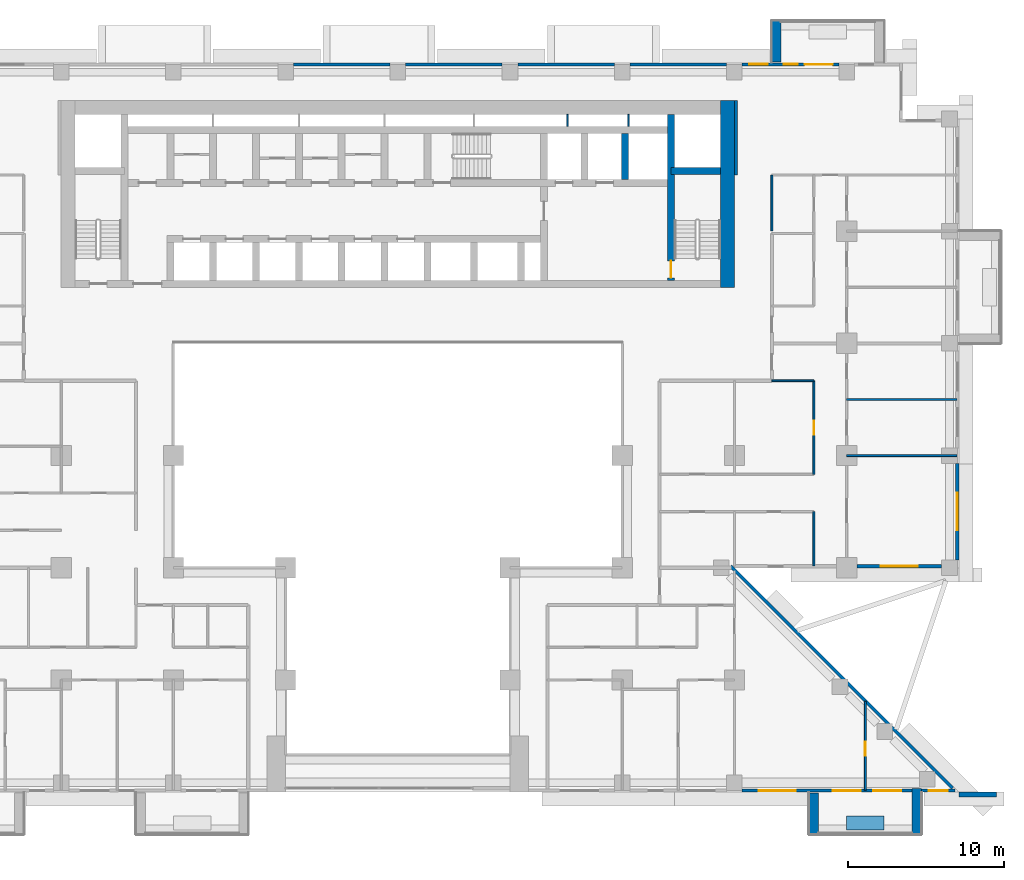
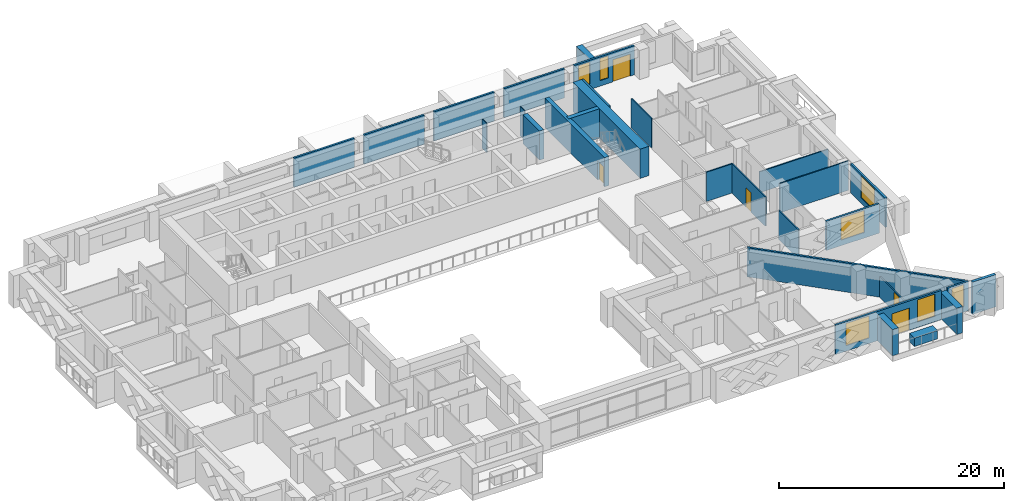
# One storey, part 11 of 17: 29 walls, 7 windows, 5 doors, 12 openings.
"""IFC4 building model written with IfcOpenShell, lengths in metres."""

from ifc_helpers import new_model, si_unit, direction, frame, frame_2d, origin, place, context, subcontext, project, spatial, rectangle, extrude, material, layer, layer_set, type_object, element, fill, save


model = new_model("IFC4")

# Units and contexts
model_context = context("Model", 3, precision=1e-05, world=origin(), true_north=direction((0.0, 1.0)))
body_context = subcontext(model_context, "Body", "Model", "MODEL_VIEW")
ifc_project = project(units=[si_unit("LENGTHUNIT", "METRE"), si_unit("AREAUNIT", "SQUARE_METRE"), si_unit("VOLUMEUNIT", "CUBIC_METRE"), si_unit("PLANEANGLEUNIT", "RADIAN"), si_unit("MASSUNIT", "GRAM", prefix="KILO")], contexts=[model_context])

# Site, building, storey
site_placement = place(None, origin())
site = spatial("IfcSite", under=ifc_project, at=site_placement, CompositionType="ELEMENT")
building_placement = place(site_placement, origin())
building = spatial("IfcBuilding", under=site, at=building_placement, Name="Saffron Iwan Residences", CompositionType="ELEMENT")
storey_placement = place(building_placement, frame((0.0, 0.0, 76.0)))
storey = spatial("IfcBuildingStorey", under=building, at=storey_placement, Name="L19", CompositionType="ELEMENT", Elevation=76.0)

# Walls
ifc_material_1 = material(Name="Concrete C50/60 white painted", Category="concrete")
ifc_layer_1 = layer(ifc_material_1, 0.60009765625)
ifc_layer_set_1 = layer_set([ifc_layer_1], Name="Concrete C50/60 white painted")
wall_type_1 = type_object("IfcWallType", Name="BALCONY FIN 600", PredefinedType="SOLIDWALL", material=ifc_layer_set_1)
for number, where, z_axis, x_axis, name in (
    (1, (74.699951171875, 80.449951171875, 0.0), (0.0, 0.0, 1.0), (0.0, 1.0, 0.0), "Balcony fin L19 F5-0b"),
    (2, (77.10009765625, 33.550048828125, 0.0), (0.0, 0.0, 1.0), (0.0, -1.0, 0.0), "Balcony fin L19 11-3a"),
):
    element("IfcWall", number, at=place(storey_placement, frame(where, z_axis=z_axis, x_axis=x_axis)), inside=storey, type_object=wall_type_1, Name=name, PredefinedType="SOLIDWALL", context=body_context, shape_type="SweptSolid", body=[
        extrude(rectangle(XDim=2.650146484375, YDim=0.60009765625, at=frame_2d((1.3251953125, 0.0))), origin(), (0.0, 0.0, 1.0), 2.85009765625),
    ])
wall_1_placement = place(storey_placement, frame((83.699951171875, 33.841796875, 0.0), z_axis=(0.0, 0.0, 1.0), x_axis=(0.0, -1.0, 0.0)))
element("IfcWall", 3, at=wall_1_placement, inside=storey, type_object=wall_type_1, Name="Balcony fin L19 11-3b", PredefinedType="SOLIDWALL", context=body_context, shape_type="SweptSolid", body=[
    extrude(rectangle(XDim=2.94189453125, YDim=0.60009765625, at=frame_2d((1.470947265625, 0.0))), origin(), (0.0, 0.0, 1.0), 2.85009765625),
])
ifc_material_2 = material(Name="Concrete C35/45 white painted", Category="concrete")
ifc_layer_2 = layer(ifc_material_2, 0.14990234375)
ifc_layer_set_2 = layer_set([ifc_layer_2], Name="Concrete C35/45 white painted")
wall_type_2 = type_object("IfcWallType", Name="BALCONY PLANTER", PredefinedType="SOLIDWALL", material=ifc_layer_set_2)
wall_2_placement = place(storey_placement, frame((79.199951171875, 31.625, 0.0), z_axis=(0.0, 0.0, 1.0), x_axis=(1.0, 0.0, 0.0)))
element("IfcWall", 4, at=wall_2_placement, inside=storey, type_object=wall_type_2, Name="PLANTER L19 11-3", PredefinedType="SOLIDWALL", context=body_context, shape_type="SweptSolid", body=[
    extrude(rectangle(XDim=2.400146484375, YDim=0.89990234375, at=frame_2d((1.2001953125, 0.0))), origin(), (0.0, 0.0, 1.0), 0.89990234375),
])
ifc_material_3 = material(Name="Concrete C40/50", Category="concrete")
ifc_layer_3 = layer(ifc_material_3, 0.199951171875)
ifc_layer_set_3 = layer_set([ifc_layer_3], Name="Concrete C40/50")
wall_type_3 = type_object("IfcWallType", Name="EXTERNAL WALL 200", PredefinedType="SOLIDWALL", material=ifc_layer_set_3)
wall_3_placement = place(storey_placement, frame((85.995849609375, 33.862548828125, 0.0), z_axis=(0.0, 0.0, 1.0), x_axis=(-0.707100718496, 0.707112843825, 0.0)))
element("IfcWall", 5, at=wall_3_placement, inside=storey, type_object=wall_type_3, Name="External wall L19 F0.0", PredefinedType="SOLIDWALL", context=body_context, shape_type="SweptSolid", body=[
    extrude(rectangle(XDim=20.134765625, YDim=0.199951171875, at=frame_2d((10.0673828125, 0.0))), origin(), (0.0, 0.0, 1.0), 3.179931640625),
])

# Wall, opening, window
wall_4_placement = place(storey_placement, frame((79.85009765625, 48.10009765625, 0.0), z_axis=(0.0, 0.0, 1.0), x_axis=(1.0, 0.0, 0.0)))
wall_4 = element("IfcWall", 6, at=wall_4_placement, inside=storey, type_object=wall_type_3, Name="External wall L19 F1.1", PredefinedType="SOLIDWALL", context=body_context, shape_type="SweptSolid", body=[
    extrude(rectangle(XDim=5.449951171875, YDim=0.199951171875, at=frame_2d((2.72509765625, 0.0))), origin(), (0.0, 0.0, 1.0), 3.179931640625),
])
opening_1_placement = place(wall_4_placement, frame((1.52490234375, 0.0, 0.60009765625)))
opening_1 = element("IfcOpeningElement", 7, at=opening_1_placement, cuts=wall_4, Name="Opening W1", PredefinedType="OPENING", context=body_context, shape_type="SweptSolid", body=[
    extrude(rectangle(XDim=2.39990234375, YDim=2.39990234375, at=frame_2d((1.199951171875, 1.199951171875))), frame((0.0, 0.10986328125, 0.0), z_axis=(0.0, -1.0, 0.0), x_axis=(1.0, 0.0, 0.0)), (0.0, 0.0, 1.0), 0.219970703125),
])
ifc_material_4 = material(Name="Clear glass, laminated double glazed", Category="glass")
window_type_1 = type_object("IfcWindowType", Name="WINDOW 2400 x 2400", PartitioningType="DOUBLE_PANEL_VERTICAL", PredefinedType="WINDOW", material=ifc_material_4)
window_1_placement = place(opening_1_placement, origin())
window_1 = element("IfcWindow", 8, at=window_1_placement, inside=storey, type_object=window_type_1, Name="Window L19 F1.0", OverallHeight=2.39990234375, OverallWidth=2.39990234375, PartitioningType="DOUBLE_PANEL_VERTICAL", PredefinedType="WINDOW", context=body_context, shape_type="SweptSolid", body=[
    extrude(rectangle(XDim=2.39990234375, YDim=2.39990234375, at=frame_2d((1.199951171875, 1.199951171875))), frame((0.0, 0.030029296875, 0.0), z_axis=(0.0, -1.0, 0.0), x_axis=(1.0, 0.0, 0.0)), (0.0, 0.0, 1.0), 0.06005859375),
])
fill(opening_1, window_1)

wall_5_placement = place(storey_placement, frame((86.300048828125, 48.5, 0.0), z_axis=(0.0, 0.0, 1.0), x_axis=(0.0, 1.0, 0.0)))
wall_5 = element("IfcWall", 9, at=wall_5_placement, inside=storey, type_object=wall_type_3, Name="External wall L19 F2.0", PredefinedType="SOLIDWALL", context=body_context, shape_type="SweptSolid", body=[
    extrude(rectangle(XDim=6.199951171875, YDim=0.199951171875, at=frame_2d((3.10009765625, 0.0))), origin(), (0.0, 0.0, 1.0), 3.179931640625),
])
opening_2_placement = place(wall_5_placement, frame((1.89990234375, 0.0, 0.60009765625)))
opening_2 = element("IfcOpeningElement", 10, at=opening_2_placement, cuts=wall_5, Name="Opening W1", PredefinedType="OPENING", context=body_context, shape_type="SweptSolid", body=[
    extrude(rectangle(XDim=2.39990234375, YDim=2.39990234375, at=frame_2d((1.199951171875, 1.199951171875))), frame((0.0, 0.10986328125, 0.0), z_axis=(0.0, -1.0, 0.0), x_axis=(1.0, 0.0, 0.0)), (0.0, 0.0, 1.0), 0.219970703125),
])
window_2_placement = place(opening_2_placement, origin())
window_2 = element("IfcWindow", 11, at=window_2_placement, inside=storey, type_object=window_type_1, Name="Window L19 F2.0", OverallHeight=2.39990234375, OverallWidth=2.39990234375, PartitioningType="DOUBLE_PANEL_VERTICAL", PredefinedType="WINDOW", context=body_context, shape_type="SweptSolid", body=[
    extrude(rectangle(XDim=2.39990234375, YDim=2.39990234375, at=frame_2d((1.199951171875, 1.199951171875))), frame((0.0, 0.030029296875, 0.0), z_axis=(0.0, -1.0, 0.0), x_axis=(1.0, 0.0, 0.0)), (0.0, 0.0, 1.0), 0.06005859375),
])
fill(opening_2, window_2)

# Wall, openings, door, windows
wall_6_placement = place(storey_placement, frame((78.699951171875, 80.300048828125, 0.0), z_axis=(0.0, 0.0, 1.0), x_axis=(-1.0, 0.0, 0.0)))
wall_6 = element("IfcWall", 12, at=wall_6_placement, inside=storey, type_object=wall_type_3, Name="External wall L19 F5.1", PredefinedType="SOLIDWALL", context=body_context, shape_type="SweptSolid", body=[
    extrude(rectangle(XDim=6.199951171875, YDim=0.199951171875, at=frame_2d((3.10009765625, 0.0))), origin(), (0.0, 0.0, 1.0), 3.179931640625),
])
opening_3_placement = place(wall_6_placement, frame((0.39990234375, 0.0, 0.0)))
opening_3 = element("IfcOpeningElement", 13, at=opening_3_placement, cuts=wall_6, Name="Opening BD1", PredefinedType="OPENING", context=body_context, shape_type="SweptSolid", body=[
    extrude(rectangle(XDim=1.800048828125, YDim=2.39990234375, at=frame_2d((0.89990234375, 1.199951171875))), frame((0.0, 0.10986328125, 0.0), z_axis=(0.0, -1.0, 0.0), x_axis=(1.0, 0.0, 0.0)), (0.0, 0.0, 1.0), 0.219970703125),
])
opening_4_placement = place(wall_6_placement, frame((2.64990234375, 0.0, 0.60009765625)))
opening_4 = element("IfcOpeningElement", 14, at=opening_4_placement, cuts=wall_6, Name="Opening W10", PredefinedType="OPENING", context=body_context, shape_type="SweptSolid", body=[
    extrude(rectangle(XDim=0.89990234375, YDim=2.39990234375, at=frame_2d((0.449951171875, 1.199951171875))), frame((0.0, 0.10986328125, 0.0), z_axis=(0.0, -1.0, 0.0), x_axis=(1.0, 0.0, 0.0)), (0.0, 0.0, 1.0), 0.219970703125),
])
opening_5_placement = place(wall_6_placement, frame((4.550048828125, 0.0, 0.60009765625)))
opening_5 = element("IfcOpeningElement", 15, at=opening_5_placement, cuts=wall_6, Name="Opening W3", PredefinedType="OPENING", context=body_context, shape_type="SweptSolid", body=[
    extrude(rectangle(XDim=1.199951171875, YDim=2.39990234375, at=frame_2d((0.60009765625, 1.199951171875))), frame((0.0, 0.10986328125, 0.0), z_axis=(0.0, -1.0, 0.0), x_axis=(1.0, 0.0, 0.0)), (0.0, 0.0, 1.0), 0.219970703125),
])
door_type_1 = type_object("IfcDoorType", Name="BALCONY DOOR 1800 x 2400", OperationType="DOUBLE_DOOR_SLIDING", PredefinedType="DOOR", material=ifc_material_4)
door_1_placement = place(opening_3_placement, origin())
door_1 = element("IfcDoor", 16, at=door_1_placement, inside=storey, type_object=door_type_1, Name="Balcony door L19 F5.0", OperationType="DOUBLE_DOOR_SLIDING", OverallHeight=2.39990234375, OverallWidth=1.800048828125, PredefinedType="DOOR", context=body_context, shape_type="SweptSolid", body=[
    extrude(rectangle(XDim=1.800048828125, YDim=2.39990234375, at=frame_2d((0.89990234375, 1.199951171875))), frame((0.0, 0.02490234375, 0.0), z_axis=(0.0, -1.0, 0.0), x_axis=(1.0, 0.0, 0.0)), (0.0, 0.0, 1.0), 0.050048828125),
])
fill(opening_3, door_1)
window_type_2 = type_object("IfcWindowType", Name="WINDOW 1200 x 2400", PartitioningType="SINGLE_PANEL", PredefinedType="WINDOW", material=ifc_material_4)
window_3_placement = place(opening_5_placement, origin())
window_3 = element("IfcWindow", 17, at=window_3_placement, inside=storey, type_object=window_type_2, Name="Window L19 F5.2", OverallHeight=2.39990234375, OverallWidth=1.199951171875, PartitioningType="SINGLE_PANEL", PredefinedType="WINDOW", context=body_context, shape_type="SweptSolid", body=[
    extrude(rectangle(XDim=1.199951171875, YDim=2.39990234375, at=frame_2d((0.60009765625, 1.199951171875))), frame((0.0, 0.030029296875, 0.0), z_axis=(0.0, -1.0, 0.0), x_axis=(1.0, 0.0, 0.0)), (0.0, 0.0, 1.0), 0.06005859375),
])
fill(opening_5, window_3)
window_type_3 = type_object("IfcWindowType", Name="WINDOW 900 x 2400", PartitioningType="SINGLE_PANEL", PredefinedType="WINDOW", material=ifc_material_4)
window_4_placement = place(opening_4_placement, origin())
window_4 = element("IfcWindow", 18, at=window_4_placement, inside=storey, type_object=window_type_3, Name="Window L19 F5.1", OverallHeight=2.39990234375, OverallWidth=0.89990234375, PartitioningType="SINGLE_PANEL", PredefinedType="WINDOW", context=body_context, shape_type="SweptSolid", body=[
    extrude(rectangle(XDim=0.89990234375, YDim=2.39990234375, at=frame_2d((0.449951171875, 1.199951171875))), frame((0.0, 0.030029296875, 0.0), z_axis=(0.0, -1.0, 0.0), x_axis=(1.0, 0.0, 0.0)), (0.0, 0.0, 1.0), 0.06005859375),
])
fill(opening_4, window_4)

# Walls
for number, where, z_axis, x_axis, name in (
    (19, (71.5, 80.300048828125, 0.0), (0.0, 0.0, 1.0), (-1.0, 0.0, 0.0), "External wall L19 F5.2"),
    (20, (64.300048828125, 80.300048828125, 0.0), (0.0, 0.0, 1.0), (-1.0, 0.0, 0.0), "External wall L19 F5.3"),
):
    element("IfcWall", number, at=place(storey_placement, frame(where, z_axis=z_axis, x_axis=x_axis)), inside=storey, type_object=wall_type_3, Name=name, PredefinedType="SOLIDWALL", context=body_context, shape_type="SweptSolid", body=[
        extrude(rectangle(XDim=6.199951171875, YDim=0.199951171875, at=frame_2d((3.10009765625, 0.0))), origin(), (0.0, 0.0, 1.0), 3.179931640625),
    ])
wall_7_placement = place(storey_placement, frame((57.10009765625, 80.300048828125, 0.0), z_axis=(0.0, 0.0, 1.0), x_axis=(-1.0, 0.0, 0.0)))
element("IfcWall", 21, at=wall_7_placement, inside=storey, type_object=wall_type_3, Name="External wall L19 F5.4", PredefinedType="SOLIDWALL", context=body_context, shape_type="SweptSolid", body=[
    extrude(rectangle(XDim=6.2001953125, YDim=0.199951171875, at=frame_2d((3.10009765625, 0.0))), origin(), (0.0, 0.0, 1.0), 3.179931640625),
])
wall_8_placement = place(storey_placement, frame((49.89990234375, 80.300048828125, 0.0), z_axis=(0.0, 0.0, 1.0), x_axis=(-1.0, 0.0, 0.0)))
element("IfcWall", 22, at=wall_8_placement, inside=storey, type_object=wall_type_3, Name="External wall L19 F5.5", PredefinedType="SOLIDWALL", context=body_context, shape_type="SweptSolid", body=[
    extrude(rectangle(XDim=6.199951171875, YDim=0.199951171875, at=frame_2d((3.10009765625, 0.0))), origin(), (0.0, 0.0, 1.0), 3.179931640625),
])

# Wall, openings, door, windows
wall_9_placement = place(storey_placement, frame((72.5, 33.699951171875, 0.0), z_axis=(0.0, 0.0, 1.0), x_axis=(1.0, 0.0, 0.0)))
wall_9 = element("IfcWall", 23, at=wall_9_placement, inside=storey, type_object=wall_type_3, Name="External wall L19 F11.6", PredefinedType="SOLIDWALL", context=body_context, shape_type="SweptSolid", body=[
    extrude(rectangle(XDim=10.89990234375, YDim=0.199951171875, at=frame_2d((5.449951171875, 0.0))), origin(), (0.0, 0.0, 1.0), 3.179931640625),
])
opening_6_placement = place(wall_9_placement, frame((5.800048828125, 0.0, 0.0)))
opening_6 = element("IfcOpeningElement", 24, at=opening_6_placement, cuts=wall_9, Name="Opening BD1", PredefinedType="OPENING", context=body_context, shape_type="SweptSolid", body=[
    extrude(rectangle(XDim=1.800048828125, YDim=2.39990234375, at=frame_2d((0.89990234375, 1.199951171875))), frame((0.0, 0.10986328125, 0.0), z_axis=(0.0, -1.0, 0.0), x_axis=(1.0, 0.0, 0.0)), (0.0, 0.0, 1.0), 0.219970703125),
])
opening_7_placement = place(wall_9_placement, frame((1.050048828125, 0.0, 0.60009765625)))
opening_7 = element("IfcOpeningElement", 25, at=opening_7_placement, cuts=wall_9, Name="Opening W1", PredefinedType="OPENING", context=body_context, shape_type="SweptSolid", body=[
    extrude(rectangle(XDim=2.39990234375, YDim=2.39990234375, at=frame_2d((1.199951171875, 1.199951171875))), frame((0.0, 0.10986328125, 0.0), z_axis=(0.0, -1.0, 0.0), x_axis=(1.0, 0.0, 0.0)), (0.0, 0.0, 1.0), 0.219970703125),
])
opening_8_placement = place(wall_9_placement, frame((8.39990234375, 0.0, 0.60009765625)))
opening_8 = element("IfcOpeningElement", 26, at=opening_8_placement, cuts=wall_9, Name="Opening W8", PredefinedType="OPENING", context=body_context, shape_type="SweptSolid", body=[
    extrude(rectangle(XDim=1.800048828125, YDim=2.39990234375, at=frame_2d((0.89990234375, 1.199951171875))), frame((0.0, 0.10986328125, 0.0), z_axis=(0.0, -1.0, 0.0), x_axis=(1.0, 0.0, 0.0)), (0.0, 0.0, 1.0), 0.219970703125),
])
door_2_placement = place(opening_6_placement, origin())
door_2 = element("IfcDoor", 27, at=door_2_placement, inside=storey, type_object=door_type_1, Name="Balcony door L19 F11.0", OperationType="DOUBLE_DOOR_SLIDING", OverallHeight=2.39990234375, OverallWidth=1.800048828125, PredefinedType="DOOR", context=body_context, shape_type="SweptSolid", body=[
    extrude(rectangle(XDim=1.800048828125, YDim=2.39990234375, at=frame_2d((0.89990234375, 1.199951171875))), frame((0.0, 0.02490234375, 0.0), z_axis=(0.0, -1.0, 0.0), x_axis=(1.0, 0.0, 0.0)), (0.0, 0.0, 1.0), 0.050048828125),
])
fill(opening_6, door_2)
window_type_4 = type_object("IfcWindowType", Name="WINDOW 1800 x 2400", PartitioningType="DOUBLE_PANEL_VERTICAL", PredefinedType="WINDOW", material=ifc_material_4)
window_5_placement = place(opening_8_placement, origin())
window_5 = element("IfcWindow", 28, at=window_5_placement, inside=storey, type_object=window_type_4, Name="Window L19 F11.2", OverallHeight=2.39990234375, OverallWidth=1.800048828125, PartitioningType="DOUBLE_PANEL_VERTICAL", PredefinedType="WINDOW", context=body_context, shape_type="SweptSolid", body=[
    extrude(rectangle(XDim=1.800048828125, YDim=2.39990234375, at=frame_2d((0.89990234375, 1.199951171875))), frame((0.0, 0.030029296875, 0.0), z_axis=(0.0, -1.0, 0.0), x_axis=(1.0, 0.0, 0.0)), (0.0, 0.0, 1.0), 0.06005859375),
])
fill(opening_8, window_5)
window_6_placement = place(opening_7_placement, origin())
window_6 = element("IfcWindow", 29, at=window_6_placement, inside=storey, type_object=window_type_1, Name="Window L19 F11.1", OverallHeight=2.39990234375, OverallWidth=2.39990234375, PartitioningType="DOUBLE_PANEL_VERTICAL", PredefinedType="WINDOW", context=body_context, shape_type="SweptSolid", body=[
    extrude(rectangle(XDim=2.39990234375, YDim=2.39990234375, at=frame_2d((1.199951171875, 1.199951171875))), frame((0.0, 0.030029296875, 0.0), z_axis=(0.0, -1.0, 0.0), x_axis=(1.0, 0.0, 0.0)), (0.0, 0.0, 1.0), 0.06005859375),
])
fill(opening_7, window_6)

# Wall, opening, window
wall_10_placement = place(storey_placement, frame((84.0, 33.699951171875, 0.0), z_axis=(0.0, 0.0, 1.0), x_axis=(1.0, 0.0, 0.0)))
wall_10 = element("IfcWall", 30, at=wall_10_placement, inside=storey, type_object=wall_type_3, Name="External wall L19 F11.7", PredefinedType="SOLIDWALL", context=body_context, shape_type="SweptSolid", body=[
    extrude(rectangle(XDim=2.15869140625, YDim=0.199951171875, at=frame_2d((1.079345703125, 0.0))), origin(), (0.0, 0.0, 1.0), 3.179931640625),
])
opening_9_placement = place(wall_10_placement, frame((0.479248046875, 0.0, 0.60009765625)))
opening_9 = element("IfcOpeningElement", 31, at=opening_9_placement, cuts=wall_10, Name="Opening W3", PredefinedType="OPENING", context=body_context, shape_type="SweptSolid", body=[
    extrude(rectangle(XDim=1.199951171875, YDim=2.39990234375, at=frame_2d((0.60009765625, 1.199951171875))), frame((0.0, 0.10986328125, 0.0), z_axis=(0.0, -1.0, 0.0), x_axis=(1.0, 0.0, 0.0)), (0.0, 0.0, 1.0), 0.219970703125),
])
window_7_placement = place(opening_9_placement, origin())
window_7 = element("IfcWindow", 32, at=window_7_placement, inside=storey, type_object=window_type_2, Name="Window L19 F11.0", OverallHeight=2.39990234375, OverallWidth=1.199951171875, PartitioningType="SINGLE_PANEL", PredefinedType="WINDOW", context=body_context, shape_type="SweptSolid", body=[
    extrude(rectangle(XDim=1.199951171875, YDim=2.39990234375, at=frame_2d((0.60009765625, 1.199951171875))), frame((0.0, 0.030029296875, 0.0), z_axis=(0.0, -1.0, 0.0), x_axis=(1.0, 0.0, 0.0)), (0.0, 0.0, 1.0), 0.06005859375),
])
fill(opening_9, window_7)

# Walls
ifc_material_5 = material(Name="Gypsum board partition")
ifc_layer_4 = layer(ifc_material_5, 0.1201171875)
ifc_layer_set_4 = layer_set([ifc_layer_4], Name="Gypsum board partition")
wall_type_4 = type_object("IfcWallType", Name="Flat partition 120", PredefinedType="PARTITIONING", material=ifc_layer_set_4)
wall_11_placement = place(storey_placement, frame((79.199951171875, 55.199951171875, 0.0), z_axis=(0.0, 0.0, 1.0), x_axis=(1.0, 0.0, 0.0)))
element("IfcWall", 33, at=wall_11_placement, inside=storey, type_object=wall_type_4, Name="W-L19-PART-h55.2-79.2", PredefinedType="PARTITIONING", context=body_context, shape_type="SweptSolid", body=[
    extrude(rectangle(XDim=7.074951171875, YDim=0.1201171875, at=frame_2d((3.53759765625, 0.0))), origin(), (0.0, 0.0, 1.0), 3.179931640625),
])
wall_12_placement = place(storey_placement, frame((79.199951171875, 58.800048828125, 0.0), z_axis=(0.0, 0.0, 1.0), x_axis=(1.0, 0.0, 0.0)))
element("IfcWall", 34, at=wall_12_placement, inside=storey, type_object=wall_type_4, Name="W-L19-PART-h58.8-79.2", PredefinedType="PARTITIONING", context=body_context, shape_type="SweptSolid", body=[
    extrude(rectangle(XDim=7.074951171875, YDim=0.1201171875, at=frame_2d((3.53759765625, 0.0))), origin(), (0.0, 0.0, 1.0), 2.280029296875),
])
wall_13_placement = place(storey_placement, frame((74.39990234375, 60.0, 0.0), z_axis=(0.0, 0.0, 1.0), x_axis=(1.0, 0.0, 0.0)))
element("IfcWall", 35, at=wall_13_placement, inside=storey, type_object=wall_type_4, Name="W-L19-PART-h60-74.4", PredefinedType="PARTITIONING", context=body_context, shape_type="SweptSolid", body=[
    extrude(rectangle(XDim=2.7001953125, YDim=0.1201171875, at=frame_2d((1.35009765625, 0.0))), origin(), (0.0, 0.0, 1.0), 3.179931640625),
])
wall_14_placement = place(storey_placement, frame((74.39990234375, 69.6201171875, 0.0), z_axis=(0.0, 0.0, 1.0), x_axis=(0.0, 1.0, 0.0)))
element("IfcWall", 36, at=wall_14_placement, inside=storey, type_object=wall_type_4, Name="W-L19-PART-v74.4-69.62", PredefinedType="PARTITIONING", context=body_context, shape_type="SweptSolid", body=[
    extrude(rectangle(XDim=3.579833984375, YDim=0.1201171875, at=frame_2d((1.7900390625, 0.0))), origin(), (0.0, 0.0, 1.0), 3.179931640625),
])
wall_15_placement = place(storey_placement, frame((77.10009765625, 48.125, 0.0), z_axis=(0.0, 0.0, 1.0), x_axis=(0.0, 1.0, 0.0)))
element("IfcWall", 37, at=wall_15_placement, inside=storey, type_object=wall_type_4, Name="W-L19-PART-v77.1-48.125", PredefinedType="PARTITIONING", context=body_context, shape_type="SweptSolid", body=[
    extrude(rectangle(XDim=3.47509765625, YDim=0.1201171875, at=frame_2d((1.737548828125, 0.0))), origin(), (0.0, 0.0, 1.0), 3.179931640625),
])

# Wall, opening, door
wall_16_placement = place(storey_placement, frame((77.10009765625, 54.0, 0.0), z_axis=(0.0, 0.0, 1.0), x_axis=(0.0, 1.0, 0.0)))
wall_16 = element("IfcWall", 38, at=wall_16_placement, inside=storey, type_object=wall_type_4, Name="W-L19-PART-v77.1-54", PredefinedType="PARTITIONING", context=body_context, shape_type="SweptSolid", body=[
    extrude(rectangle(XDim=6.0, YDim=0.1201171875, at=frame_2d((3.0, 0.0))), origin(), (0.0, 0.0, 1.0), 3.179931640625),
])
opening_10_placement = place(wall_16_placement, frame((2.550048828125, 0.0, 0.0)))
opening_10 = element("IfcOpeningElement", 39, at=opening_10_placement, cuts=wall_16, Name="Opening FD2", PredefinedType="OPENING", context=body_context, shape_type="SweptSolid", body=[
    extrude(rectangle(XDim=0.89990234375, YDim=2.10009765625, at=frame_2d((0.449951171875, 1.050048828125))), frame((0.0, 0.070068359375, 0.0), z_axis=(0.0, -1.0, 0.0), x_axis=(1.0, 0.0, 0.0)), (0.0, 0.0, 1.0), 0.14013671875),
])
ifc_material_6 = material(Name="Timber door", Category="wood")
door_type_2 = type_object("IfcDoorType", Name="Flat door 900", OperationType="NOTDEFINED", PredefinedType="DOOR", material=ifc_material_6)
door_3_placement = place(opening_10_placement, origin())
door_3 = element("IfcDoor", 40, at=door_3_placement, inside=storey, type_object=door_type_2, Name="Door L19-026", OperationType="SINGLE_SWING_LEFT", OverallHeight=2.10009765625, OverallWidth=0.89990234375, PredefinedType="DOOR", context=body_context, shape_type="SweptSolid", body=[
    extrude(rectangle(XDim=0.89990234375, YDim=2.10009765625, at=frame_2d((0.449951171875, 1.050048828125))), frame((0.0, 0.02490234375, 0.0), z_axis=(0.0, -1.0, 0.0), x_axis=(1.0, 0.0, 0.0)), (0.0, 0.0, 1.0), 0.050048828125),
])
fill(opening_10, door_3)

wall_17_placement = place(storey_placement, frame((80.39990234375, 33.72509765625, 0.0), z_axis=(0.0, 0.0, 1.0), x_axis=(0.0, 1.0, 0.0)))
wall_17 = element("IfcWall", 41, at=wall_17_placement, inside=storey, type_object=wall_type_4, Name="W-L19-PART-v80.4-33.725", PredefinedType="PARTITIONING", context=body_context, shape_type="SweptSolid", body=[
    extrude(rectangle(XDim=5.697998046875, YDim=0.1201171875, at=frame_2d((2.84912109375, 0.0))), origin(), (0.0, 0.0, 1.0), 2.280029296875),
])
opening_11_placement = place(wall_17_placement, frame((2.198974609375, 0.0, 0.0)))
opening_11 = element("IfcOpeningElement", 42, at=opening_11_placement, cuts=wall_17, Name="Opening FD2", PredefinedType="OPENING", context=body_context, shape_type="SweptSolid", body=[
    extrude(rectangle(XDim=0.89990234375, YDim=2.10009765625, at=frame_2d((0.449951171875, 1.050048828125))), frame((0.0, 0.070068359375, 0.0), z_axis=(0.0, -1.0, 0.0), x_axis=(1.0, 0.0, 0.0)), (0.0, 0.0, 1.0), 0.14013671875),
])
door_4_placement = place(opening_11_placement, origin())
door_4 = element("IfcDoor", 43, at=door_4_placement, inside=storey, type_object=door_type_2, Name="Door L19-051", OperationType="SINGLE_SWING_LEFT", OverallHeight=2.10009765625, OverallWidth=0.89990234375, PredefinedType="DOOR", context=body_context, shape_type="SweptSolid", body=[
    extrude(rectangle(XDim=0.89990234375, YDim=2.10009765625, at=frame_2d((0.449951171875, 1.050048828125))), frame((0.0, 0.02490234375, 0.0), z_axis=(0.0, -1.0, 0.0), x_axis=(1.0, 0.0, 0.0)), (0.0, 0.0, 1.0), 0.050048828125),
])
fill(opening_11, door_4)

# Walls
ifc_material_7 = material(Name="Fire-rated gypsum board wall")
ifc_layer_5 = layer(ifc_material_7, 0.199951171875)
ifc_layer_set_5 = layer_set([ifc_layer_5], Name="Fire-rated gypsum board wall")
wall_type_5 = type_object("IfcWallType", Name="Gallery wall 200", PredefinedType="SOLIDWALL", material=ifc_layer_set_5)
wall_18_placement = place(storey_placement, frame((72.10009765625, 73.199951171875, 0.0), z_axis=(0.0, 0.0, 1.0), x_axis=(0.0, 1.0, 0.0)))
element("IfcWall", 44, at=wall_18_placement, inside=storey, type_object=wall_type_5, Name="W-L19-CORR-v72-73.2", PredefinedType="SOLIDWALL", context=body_context, shape_type="SweptSolid", body=[
    extrude(rectangle(XDim=4.800048828125, YDim=0.199951171875, at=frame_2d((2.39990234375, 0.0))), origin(), (0.0, 0.0, 1.0), 3.179931640625),
])
ifc_layer_6 = layer(ifc_material_1, 0.300048828125)
ifc_layer_set_6 = layer_set([ifc_layer_6], Name="Concrete C50/60 white painted")
wall_type_6 = type_object("IfcWallType", Name="PROW BLADE 300", PredefinedType="SOLIDWALL", material=ifc_layer_set_6)
wall_19_placement = place(storey_placement, frame((86.39990234375, 33.449951171875, -0.320068359375), z_axis=(0.0, 0.0, 1.0), x_axis=(1.0, 0.0, 0.0)))
element("IfcWall", 45, at=wall_19_placement, inside=storey, type_object=wall_type_6, Name="Prow blade L19", PredefinedType="SOLIDWALL", context=body_context, shape_type="SweptSolid", body=[
    extrude(rectangle(XDim=2.400146484375, YDim=0.300048828125, at=frame_2d((1.2001953125, 0.0))), origin(), (0.0, 0.0, 1.0), 3.5),
])
ifc_material_8 = material(Name="Fire-rated plasterboard partition")
ifc_layer_7 = layer(ifc_material_8, 0.10009765625)
ifc_layer_set_7 = layer_set([ifc_layer_7], Name="Fire-rated plasterboard partition")
wall_type_7 = type_object("IfcWallType", Name="Riser partition 100", PredefinedType="PARTITIONING", material=ifc_layer_set_7)
for number, where, z_axis, x_axis, name in (
    (46, (61.300048828125, 76.324951171875, 0.0), (0.0, 0.0, 1.0), (0.0, 1.0, 0.0), "Core partition P09"),
    (47, (65.199951171875, 76.324951171875, 0.0), (0.0, 0.0, 1.0), (0.0, 1.0, 0.0), "Core partition P10"),
):
    element("IfcWall", number, at=place(storey_placement, frame(where, z_axis=z_axis, x_axis=x_axis)), inside=storey, type_object=wall_type_7, Name=name, PredefinedType="PARTITIONING", context=body_context, shape_type="SweptSolid", body=[
        extrude(rectangle(XDim=0.775146484375, YDim=0.10009765625, at=frame_2d((0.3876953125, 0.0))), origin(), (0.0, 0.0, 1.0), 3.179931640625),
    ])
ifc_material_9 = material(Name="Concrete C60/75", Category="concrete")
ifc_layer_8 = layer(ifc_material_9, 0.449951171875)
ifc_layer_set_8 = layer_set([ifc_layer_8], Name="Concrete C60/75")
wall_type_8 = type_object("IfcWallType", Name="WALL CORE 450 C60/75 3180 HIGH", PredefinedType="SHEAR", material=ifc_layer_set_8)
wall_20_placement = place(storey_placement, frame((67.925048828125, 73.47509765625, 0.0), z_axis=(0.0, 0.0, 1.0), x_axis=(1.0, 0.0, 0.0)))
element("IfcWall", 48, at=wall_20_placement, inside=storey, type_object=wall_type_8, Name="Core wall", PredefinedType="SHEAR", context=body_context, shape_type="SweptSolid", body=[
    extrude(rectangle(XDim=3.175048828125, YDim=0.449951171875, at=frame_2d((1.58740234375, 0.0))), origin(), (0.0, 0.0, 1.0), 3.179931640625),
])

# Wall, opening, door
wall_21_placement = place(storey_placement, frame((67.925048828125, 66.449951171875, 0.0), z_axis=(0.0, 0.0, 1.0), x_axis=(0.0, 1.0, 0.0)))
wall_21 = element("IfcWall", 49, at=wall_21_placement, inside=storey, type_object=wall_type_8, Name="Core wall", PredefinedType="SHEAR", context=body_context, shape_type="SweptSolid", body=[
    extrude(rectangle(XDim=10.650146484375, YDim=0.449951171875, at=frame_2d((5.3251953125, 0.0))), origin(), (0.0, 0.0, 1.0), 3.179931640625),
])
opening_12_placement = place(wall_21_placement, frame((0.14990234375, 0.0, 0.0)))
opening_12 = element("IfcOpeningElement", 50, at=opening_12_placement, cuts=wall_21, Name="Opening SD", PredefinedType="OPENING", context=body_context, shape_type="SweptSolid", body=[
    extrude(rectangle(XDim=1.10009765625, YDim=2.10009765625, at=frame_2d((0.550048828125, 1.050048828125))), frame((0.0, 0.23486328125, 0.0), z_axis=(0.0, -1.0, 0.0), x_axis=(1.0, 0.0, 0.0)), (0.0, 0.0, 1.0), 0.469970703125),
])
ifc_material_10 = material(Name="Steel fire door", Category="steel")
door_type_3 = type_object("IfcDoorType", Name="Stair door 1100", OperationType="NOTDEFINED", PredefinedType="DOOR", material=ifc_material_10)
door_5_placement = place(opening_12_placement, origin())
door_5 = element("IfcDoor", 51, at=door_5_placement, inside=storey, type_object=door_type_3, Name="Stair door ST-E", OperationType="SINGLE_SWING_LEFT", OverallHeight=2.10009765625, OverallWidth=1.10009765625, PredefinedType="DOOR", context=body_context, shape_type="SweptSolid", body=[
    extrude(rectangle(XDim=1.10009765625, YDim=2.10009765625, at=frame_2d((0.550048828125, 1.050048828125))), frame((0.0, 0.02490234375, 0.0), z_axis=(0.0, -1.0, 0.0), x_axis=(1.0, 0.0, 0.0)), (0.0, 0.0, 1.0), 0.050048828125),
])
fill(opening_12, door_5)

# Walls
wall_22_placement = place(storey_placement, frame((64.97509765625, 72.925048828125, 0.0), z_axis=(0.0, 0.0, 1.0), x_axis=(0.0, 1.0, 0.0)))
element("IfcWall", 52, at=wall_22_placement, inside=storey, type_object=wall_type_8, Name="Core wall", PredefinedType="SHEAR", context=body_context, shape_type="SweptSolid", body=[
    extrude(rectangle(XDim=2.949951171875, YDim=0.449951171875, at=frame_2d((1.47509765625, 0.0))), origin(), (0.0, 0.0, 1.0), 3.179931640625),
])
ifc_layer_9 = layer(ifc_material_9, 0.89990234375)
ifc_layer_set_9 = layer_set([ifc_layer_9], Name="Concrete C60/75")
wall_type_9 = type_object("IfcWallType", Name="WALL CORE 900 C60/75 3180 HIGH", PredefinedType="SHEAR", material=ifc_layer_set_9)
wall_23_placement = place(storey_placement, frame((71.550048828125, 66.0, 0.0), z_axis=(0.0, 0.0, 1.0), x_axis=(0.0, 1.0, 0.0)))
element("IfcWall", 53, at=wall_23_placement, inside=storey, type_object=wall_type_9, Name="Core wall", PredefinedType="SHEAR", context=body_context, shape_type="SweptSolid", body=[
    extrude(rectangle(XDim=12.0, YDim=0.89990234375, at=frame_2d((6.0, 0.0))), origin(), (0.0, 0.0, 1.0), 3.179931640625),
])

save(model, "model.ifc")
